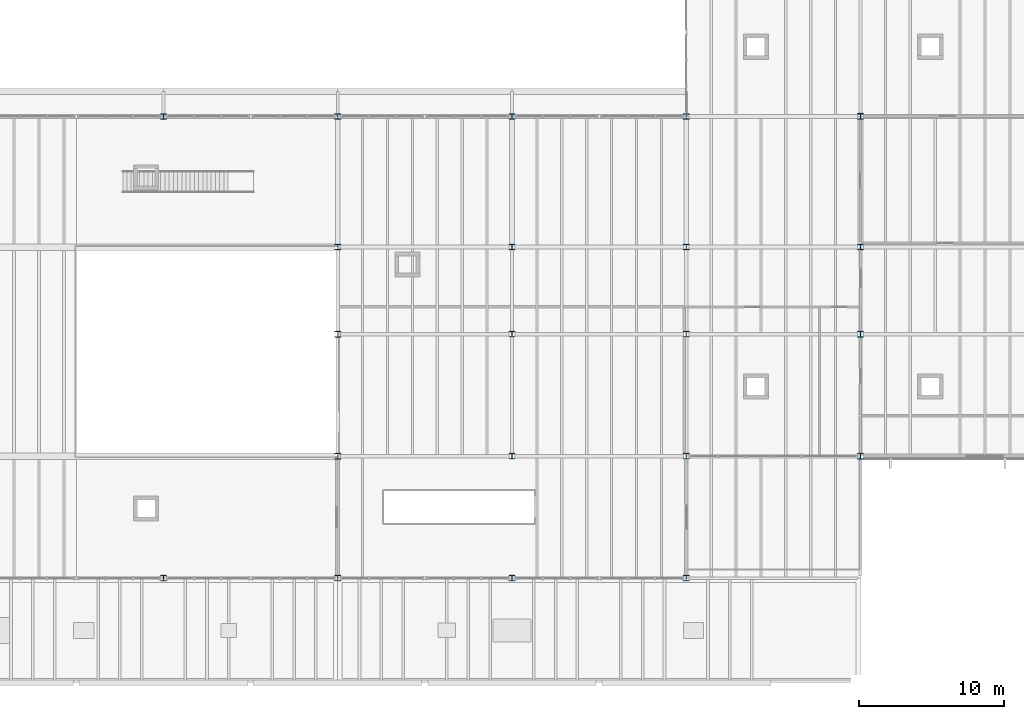
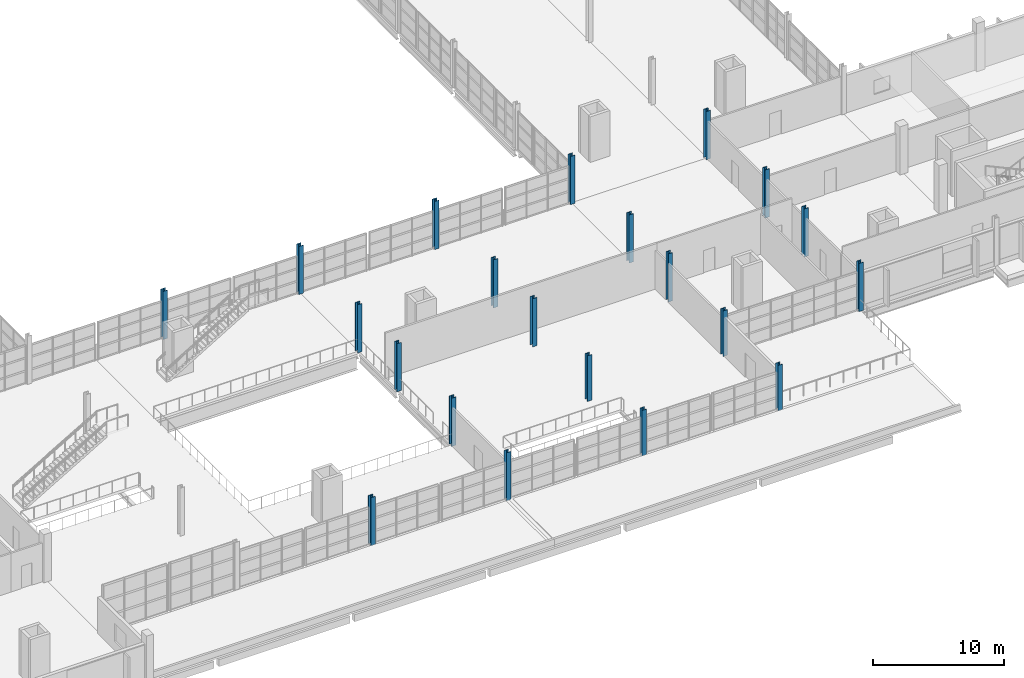
# One storey, part 5 of 114: 21 columns.
"""IFC4 building model written with IfcOpenShell, lengths in metres."""

from ifc_helpers import new_model, si_unit, direction, frame, origin, origin_2d, place, context, subcontext, project, spatial, i_section, extrude, material, material_profile, profile_set, type_object, element, save


model = new_model("IFC4")

# Units and contexts
model_context = context("Model", 3, precision=1e-05, world=origin(), true_north=direction((0.0, 1.0)))
body_context = subcontext(model_context, "Body", "Model", "MODEL_VIEW")
ifc_project = project(units=[si_unit("LENGTHUNIT", "METRE"), si_unit("AREAUNIT", "SQUARE_METRE"), si_unit("VOLUMEUNIT", "CUBIC_METRE"), si_unit("PLANEANGLEUNIT", "RADIAN"), si_unit("MASSUNIT", "GRAM", prefix="KILO")], contexts=[model_context])

# Site, building, storey
site_placement = place(None, origin())
site = spatial("IfcSite", under=ifc_project, at=site_placement, CompositionType="ELEMENT")
building_placement = place(site_placement, origin())
building = spatial("IfcBuilding", under=site, at=building_placement, Name="Kelmvaro Bay Concert Hall", CompositionType="ELEMENT")
storey_placement = place(building_placement, frame((0.0, 0.0, 4.800048828125)))
storey = spatial("IfcBuildingStorey", under=building, at=storey_placement, Name="L01", CompositionType="ELEMENT", Elevation=4.800048828125)

# Columns
ifc_material_1 = material(Name="Steel ASTM A992 Grade 50", Category="steel")
ifc_material_profile_1 = material_profile(ifc_material_1, i_section(OverallWidth=0.40087890625, OverallDepth=0.39892578125, WebThickness=0.02490234375, FlangeThickness=0.03955078125, at=origin_2d()), Name="W14X211")
ifc_profile_set_1 = profile_set([ifc_material_profile_1], Name="Steel ASTM A992 Grade 50")
column_type_1 = type_object("IfcColumnType", Name="Bridge Anchor Column W14x211", PredefinedType="COLUMN", material=ifc_profile_set_1)
for number, where, z_axis, x_axis, name in (
    (1, (120.0, 15.60009765625, 0.0), (0.0, 0.0, 1.0), (1.0, 0.0, 0.0), "L01 Column V4B-120-156"),
    (2, (120.0, 39.0, 0.0), (0.0, 0.0, 1.0), (1.0, 0.0, 0.0), "L01 Column V4B-120-390"),
):
    element("IfcColumn", number, at=place(storey_placement, frame(where, z_axis=z_axis, x_axis=x_axis)), inside=storey, type_object=column_type_1, Name=name, PredefinedType="COLUMN", context=body_context, shape_type="SweptSolid", body=[
        extrude(i_section(OverallWidth=0.40087890625, OverallDepth=0.39892578125, WebThickness=0.02490234375, FlangeThickness=0.03955078125, at=origin_2d()), origin(), (0.0, 0.0, 1.0), 4.5),
    ])
ifc_material_2 = material(Name="Steel ASTM A992 Grade 50", Category="steel")
ifc_material_profile_2 = material_profile(ifc_material_2, i_section(OverallWidth=0.40087890625, OverallDepth=0.39404296875, WebThickness=0.022705078125, FlangeThickness=0.03662109375, at=origin_2d()), Name="W14X193")
ifc_profile_set_2 = profile_set([ifc_material_profile_2], Name="Steel ASTM A992 Grade 50")
column_type_2 = type_object("IfcColumnType", Name="Bridge Support Column W14x193", PredefinedType="COLUMN", material=ifc_profile_set_2)
for number, where, z_axis, x_axis, name in (
    (3, (120.0, 24.0, 0.0), (0.0, 0.0, 1.0), (1.0, 0.0, 0.0), "L01 Column V4B-120-240"),
    (4, (120.0, 30.0, 0.0), (0.0, 0.0, 1.0), (1.0, 0.0, 0.0), "L01 Column V4B-120-300"),
):
    element("IfcColumn", number, at=place(storey_placement, frame(where, z_axis=z_axis, x_axis=x_axis)), inside=storey, type_object=column_type_2, Name=name, PredefinedType="COLUMN", context=body_context, shape_type="SweptSolid", body=[
        extrude(i_section(OverallWidth=0.40087890625, OverallDepth=0.39404296875, WebThickness=0.022705078125, FlangeThickness=0.03662109375, at=origin_2d()), origin(), (0.0, 0.0, 1.0), 4.5),
    ])
ifc_material_3 = material(Name="Steel ASTM A992 Grade 50", Category="steel")
ifc_material_profile_3 = material_profile(ifc_material_3, i_section(OverallWidth=0.39599609375, OverallDepth=0.381103515625, WebThickness=0.018798828125, FlangeThickness=0.0302734375, at=origin_2d()), Name="W14X159")
ifc_profile_set_3 = profile_set([ifc_material_profile_3], Name="Steel ASTM A992 Grade 50")
column_type_3 = type_object("IfcColumnType", Name="Foyer Concourse Column W14x159", PredefinedType="COLUMN", material=ifc_profile_set_3)
for number, where, z_axis, x_axis, name in (
    (5, (96.0, 7.199951171875, 0.0), (0.0, 0.0, 1.0), (1.0, 0.0, 0.0), "L01 Column V5S-96-72"),
    (6, (96.0, 15.60009765625, 0.0), (0.0, 0.0, 1.0), (1.0, 0.0, 0.0), "L01 Column V5S-96-156"),
):
    element("IfcColumn", number, at=place(storey_placement, frame(where, z_axis=z_axis, x_axis=x_axis)), inside=storey, type_object=column_type_3, Name=name, PredefinedType="COLUMN", context=body_context, shape_type="SweptSolid", body=[
        extrude(i_section(OverallWidth=0.39599609375, OverallDepth=0.381103515625, WebThickness=0.018798828125, FlangeThickness=0.0302734375, at=origin_2d()), origin(), (0.0, 0.0, 1.0), 4.260009765625),
    ])
for number, where, z_axis, x_axis, name in (
    (7, (96.0, 24.0, 0.0), (0.0, 0.0, 1.0), (1.0, 0.0, 0.0), "L01 Column V5S-96-240"),
    (8, (96.0, 30.0, 0.0), (0.0, 0.0, 1.0), (1.0, 0.0, 0.0), "L01 Column V5S-96-300"),
    (9, (96.0, 39.0, 0.0), (0.0, 0.0, 1.0), (1.0, 0.0, 0.0), "L01 Column V5S-96-390"),
):
    element("IfcColumn", number, at=place(storey_placement, frame(where, z_axis=z_axis, x_axis=x_axis)), inside=storey, type_object=column_type_3, Name=name, PredefinedType="COLUMN", context=body_context, shape_type="SweptSolid", body=[
        extrude(i_section(OverallWidth=0.39599609375, OverallDepth=0.381103515625, WebThickness=0.018798828125, FlangeThickness=0.0302734375, at=origin_2d()), origin(), (0.0, 0.0, 1.0), 4.5),
    ])
for number, where, z_axis, x_axis, name in (
    (10, (108.0, 7.199951171875, 0.0), (0.0, 0.0, 1.0), (1.0, 0.0, 0.0), "L01 Column V5S-108-72"),
    (11, (108.0, 15.60009765625, 0.0), (0.0, 0.0, 1.0), (1.0, 0.0, 0.0), "L01 Column V5S-108-156"),
):
    element("IfcColumn", number, at=place(storey_placement, frame(where, z_axis=z_axis, x_axis=x_axis)), inside=storey, type_object=column_type_3, Name=name, PredefinedType="COLUMN", context=body_context, shape_type="SweptSolid", body=[
        extrude(i_section(OverallWidth=0.39599609375, OverallDepth=0.381103515625, WebThickness=0.018798828125, FlangeThickness=0.0302734375, at=origin_2d()), origin(), (0.0, 0.0, 1.0), 4.260009765625),
    ])
for number, where, z_axis, x_axis, name in (
    (12, (108.0, 24.0, 0.0), (0.0, 0.0, 1.0), (1.0, 0.0, 0.0), "L01 Column V5S-108-240"),
    (13, (108.0, 30.0, 0.0), (0.0, 0.0, 1.0), (1.0, 0.0, 0.0), "L01 Column V5S-108-300"),
    (14, (108.0, 39.0, 0.0), (0.0, 0.0, 1.0), (1.0, 0.0, 0.0), "L01 Column V5S-108-390"),
):
    element("IfcColumn", number, at=place(storey_placement, frame(where, z_axis=z_axis, x_axis=x_axis)), inside=storey, type_object=column_type_3, Name=name, PredefinedType="COLUMN", context=body_context, shape_type="SweptSolid", body=[
        extrude(i_section(OverallWidth=0.39599609375, OverallDepth=0.381103515625, WebThickness=0.018798828125, FlangeThickness=0.0302734375, at=origin_2d()), origin(), (0.0, 0.0, 1.0), 4.5),
    ])
ifc_material_4 = material(Name="Steel ASTM A992 Grade 50", Category="steel")
ifc_material_profile_4 = material_profile(ifc_material_4, i_section(OverallWidth=0.39892578125, OverallDepth=0.385986328125, WebThickness=0.02099609375, FlangeThickness=0.033203125, at=origin_2d()), Name="W14X176")
ifc_profile_set_4 = profile_set([ifc_material_profile_4], Name="Steel ASTM A992 Grade 50")
column_type_4 = type_object("IfcColumnType", Name="Foyer Heavy Column W14x176", PredefinedType="COLUMN", material=ifc_profile_set_4)
for number, where, z_axis, x_axis, name in (
    (15, (72.0, 7.199951171875, 0.0), (0.0, 0.0, 1.0), (1.0, 0.0, 0.0), "L01 Column V5S-72-72"),
    (16, (72.0, 39.0, 0.0), (0.0, 0.0, 1.0), (1.0, 0.0, 0.0), "L01 Column V5S-72-390"),
    (17, (84.0, 7.199951171875, 0.0), (0.0, 0.0, 1.0), (1.0, 0.0, 0.0), "L01 Column V5S-84-72"),
    (18, (84.0, 15.60009765625, 0.0), (0.0, 0.0, 1.0), (1.0, 0.0, 0.0), "L01 Column V5S-84-156"),
    (19, (84.0, 24.0, 0.0), (0.0, 0.0, 1.0), (1.0, 0.0, 0.0), "L01 Column V5S-84-240"),
    (20, (84.0, 30.0, 0.0), (0.0, 0.0, 1.0), (1.0, 0.0, 0.0), "L01 Column V5S-84-300"),
    (21, (84.0, 39.0, 0.0), (0.0, 0.0, 1.0), (1.0, 0.0, 0.0), "L01 Column V5S-84-390"),
):
    element("IfcColumn", number, at=place(storey_placement, frame(where, z_axis=z_axis, x_axis=x_axis)), inside=storey, type_object=column_type_4, Name=name, PredefinedType="COLUMN", context=body_context, shape_type="SweptSolid", body=[
        extrude(i_section(OverallWidth=0.39892578125, OverallDepth=0.385986328125, WebThickness=0.02099609375, FlangeThickness=0.033203125, at=origin_2d()), origin(), (0.0, 0.0, 1.0), 4.5),
    ])

save(model, "model.ifc")
